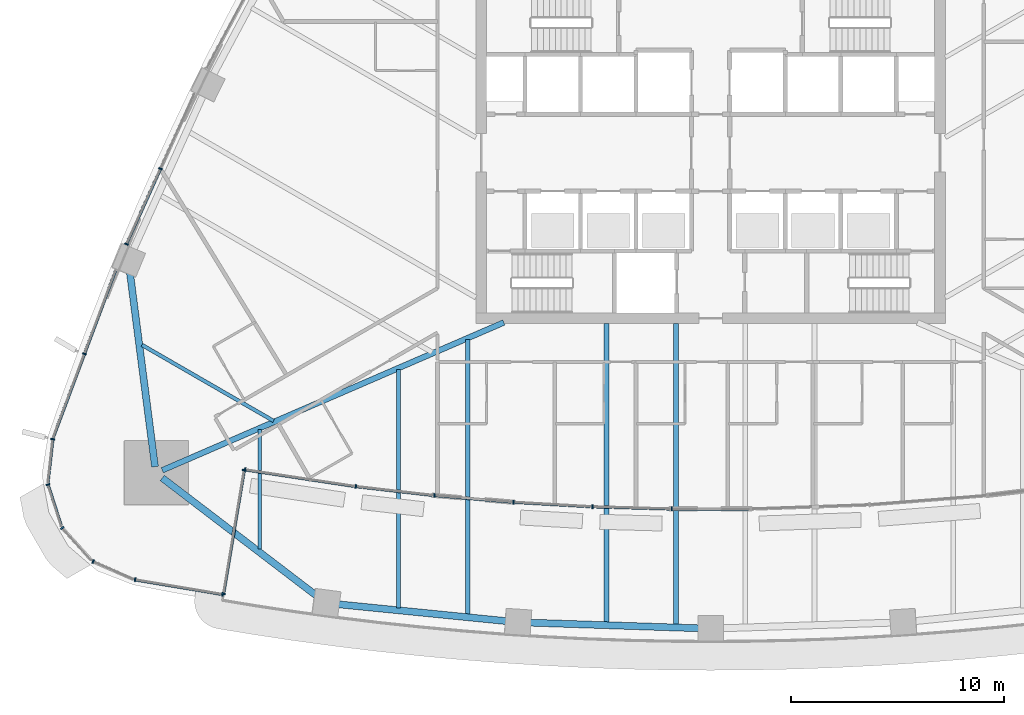
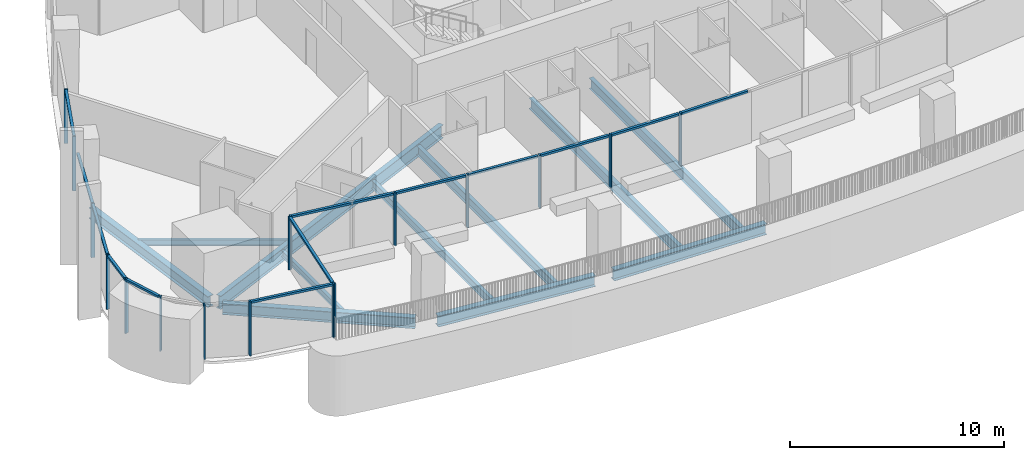
# One storey, part 2 of 25: 30 members, 11 beams, 14 elements without a shape of their own.
"""IFC4 building model written with IfcOpenShell, lengths in metres."""

import ifcopenshell
import ifcopenshell.guid

model = None  # the IFC model being written
_history = None  # IfcOwnerHistory: only IFC2X3 demands one
_inside = {}  # id of a spatial element -> (the spatial element, [elements in it])
_under = {}  # id of a project, library or spatial element -> (it, [spatial elements below it])
_declared = {}  # id of a project -> (the project, [libraries it declares])
_typed = {}  # id of a type object -> (the type object, [elements of that type])
_made_of = {}  # id of a material, layer set ... -> (it, [elements and type objects made of it])


def new_model(schema):
    """Start an empty IFC model of exactly this schema.

    Asked for "IFC4X3", IfcOpenShell would pick the latest addendum, in which some entities
    have other attributes; the version numbers below select the first issue.
    IFC2X3 requires an IfcOwnerHistory on every rooted entity: one is made here for all.
    """
    global model, _history
    if schema == "IFC4X3":
        model = ifcopenshell.file(schema_version=(4, 3, 0, 0))
    else:
        model = ifcopenshell.file(schema=schema)
    _inside.clear()
    _under.clear()
    _declared.clear()
    _typed.clear()
    _made_of.clear()
    _history = None
    if model.schema == "IFC2X3":
        org = make("IfcOrganization", Name="unknown")
        user = make(
            "IfcPersonAndOrganization",
            ThePerson=make("IfcPerson", FamilyName="unknown"),
            TheOrganization=org,
        )
        app = make(
            "IfcApplication",
            ApplicationDeveloper=org,
            Version="unknown",
            ApplicationFullName="unknown",
            ApplicationIdentifier="unknown",
        )
        _history = make(
            "IfcOwnerHistory",
            OwningUser=user,
            OwningApplication=app,
            ChangeAction="ADDED",
            CreationDate=0,
        )
    return model


def make(cls, **values):
    """One entity of the class cls with the attributes given. An attribute that is None is left unset."""
    return model.create_entity(
        cls, **{name: value for name, value in values.items() if value is not None}
    )


def rooted(cls, **values):
    """An entity with a GlobalId (a new one), such as an element, a storey or a relation."""
    return make(cls, GlobalId=ifcopenshell.guid.new(), OwnerHistory=_history, **values)


def si_unit(unit_type, name, prefix=None):
    """IfcSIUnit, for example si_unit("LENGTHUNIT", "METRE", prefix="MILLI")."""
    return make("IfcSIUnit", UnitType=unit_type, Prefix=prefix, Name=name)


def assignment(units):
    """IfcUnitAssignment: the units of a project."""
    return None if units is None else make("IfcUnitAssignment", Units=units)


def point(xyz):
    """IfcCartesianPoint."""
    return None if xyz is None else make("IfcCartesianPoint", Coordinates=xyz)


def direction(xyz):
    """IfcDirection."""
    return None if xyz is None else make("IfcDirection", DirectionRatios=xyz)


def frame(location, z_axis=None, x_axis=None):
    """IfcAxis2Placement3D, a coordinate frame: its origin and axes. An axis left out is left unset."""
    return make(
        "IfcAxis2Placement3D",
        Location=point(location),
        Axis=direction(z_axis),
        RefDirection=direction(x_axis),
    )


def frame_2d(location, x_axis=None):
    """IfcAxis2Placement2D, a coordinate frame in the plane: its origin and x axis."""
    return make(
        "IfcAxis2Placement2D", Location=point(location), RefDirection=direction(x_axis)
    )


def origin():
    """The frame at (0, 0, 0) with its axes left unset."""
    return frame((0.0, 0.0, 0.0))


def origin_2d():
    """The frame at (0, 0) in the plane with its x axis left unset."""
    return frame_2d((0.0, 0.0))


def place(relative_to, where):
    """IfcLocalPlacement: puts the frame where relative to a parent placement (None: the world)."""
    return make(
        "IfcLocalPlacement", PlacementRelTo=relative_to, RelativePlacement=where
    )


def context(
    kind, dimensions, precision=None, world=None, true_north=None, identifier=None
):
    """IfcGeometricRepresentationContext, for example the 3D "Model" context."""
    return make(
        "IfcGeometricRepresentationContext",
        ContextIdentifier=identifier,
        ContextType=kind,
        CoordinateSpaceDimension=dimensions,
        Precision=precision,
        WorldCoordinateSystem=world,
        TrueNorth=true_north,
    )


def subcontext(parent, identifier, kind, view, scale=None):
    """IfcGeometricRepresentationSubContext, for example "Body" below "Model"."""
    return make(
        "IfcGeometricRepresentationSubContext",
        ContextIdentifier=identifier,
        ContextType=kind,
        ParentContext=parent,
        TargetScale=scale,
        TargetView=view,
    )


def project(units=None, contexts=None):
    """IfcProject with its units and contexts."""
    return rooted(
        "IfcProject",
        Name="project",
        RepresentationContexts=contexts,
        UnitsInContext=assignment(units),
    )


def spatial(cls, under=None, at=None, **own):
    """A site, building, storey or space (cls), placed at a placement, below another one or the project."""
    s = rooted(cls, ObjectPlacement=at, **own)
    if under is not None:
        _under.setdefault(under.id(), (under, []))[1].append(s)
    return s


def profile(cls, at=None, kind="AREA", **sizes):
    """A parametric profile (cls). Its sizes go by their IFC names, for example OverallWidth=200.0."""
    return make(cls, ProfileType=kind, Position=at, **sizes)


def rectangle(**sizes):
    """IfcRectangleProfileDef."""
    return profile("IfcRectangleProfileDef", **sizes)


def i_section(**sizes):
    """IfcIShapeProfileDef."""
    return profile("IfcIShapeProfileDef", **sizes)


def extrude(swept, where, along, depth):
    """IfcExtrudedAreaSolid: the profile swept, set in the frame where, extruded along a direction by depth."""
    return make(
        "IfcExtrudedAreaSolid",
        SweptArea=swept,
        Position=where,
        ExtrudedDirection=direction(along),
        Depth=depth,
    )


def shape(context_of_items, identifier, shape_type, items):
    """IfcShapeRepresentation: the items that make up one representation, for example the "Body"."""
    return make(
        "IfcShapeRepresentation",
        ContextOfItems=context_of_items,
        RepresentationIdentifier=identifier,
        RepresentationType=shape_type,
        Items=items,
    )


def material(Name=None, Category=None):
    """IfcMaterial."""
    return make("IfcMaterial", Name=Name, Category=Category)


def layer(
    of_material, thickness, ventilated=None, Name=None, Category=None, Priority=None
):
    """IfcMaterialLayer: one layer of a wall or slab, of a material (None: an air gap)."""
    return make(
        "IfcMaterialLayer",
        Material=of_material,
        LayerThickness=thickness,
        IsVentilated=ventilated,
        Name=Name,
        Category=Category,
        Priority=Priority,
    )


def layer_set(layers, Name=None):
    """IfcMaterialLayerSet."""
    return make("IfcMaterialLayerSet", MaterialLayers=layers, LayerSetName=Name)


def material_profile(
    of_material, cross_section, Name=None, Category=None, Priority=None
):
    """IfcMaterialProfile: a cross section and its material."""
    return make(
        "IfcMaterialProfile",
        Name=Name,
        Material=of_material,
        Profile=cross_section,
        Priority=Priority,
        Category=Category,
    )


def profile_set(profiles, Name=None, composite=None):
    """IfcMaterialProfileSet."""
    return make(
        "IfcMaterialProfileSet",
        Name=Name,
        MaterialProfiles=profiles,
        CompositeProfile=composite,
    )


def made_of(thing, what):
    """Note that an element or type object is made of a material, layer set ...; save() writes the relation."""
    if what is not None:
        _made_of.setdefault(what.id(), (what, []))[1].append(thing)
    return thing


def type_object(cls, material=None, **own):
    """A type object (cls), such as IfcWallType, which elements share."""
    return made_of(rooted(cls, **own), material)


def element(
    cls,
    number,
    at=None,
    inside=None,
    cuts=None,
    type_object=None,
    material=None,
    context=None,
    identifier="Body",
    shape_type=None,
    held_by="IfcProductDefinitionShape",
    body=None,
    shapes=None,
    **own,
):
    """One element of the class cls, such as IfcWall. Its Tag is "e" and its number.

    at: its placement. inside: the storey or other place that contains it. cuts: it is an
    opening in that element (IfcRelVoidsElement). A single representation is given by context,
    identifier, shape_type and body (its items); several are given by shapes. held_by: the class
    of the entity that holds the representations. save() writes the other relations.
    """
    e = rooted(cls, Tag="e%d" % number, ObjectPlacement=at, **own)
    if body is not None:
        shapes = [shape(context, identifier, shape_type, body)]
    if shapes is not None:
        e.Representation = make(held_by, Representations=shapes)
    if inside is not None:
        _inside.setdefault(inside.id(), (inside, []))[1].append(e)
    if cuts is not None:
        rooted(
            "IfcRelVoidsElement", RelatingBuildingElement=cuts, RelatedOpeningElement=e
        )
    if type_object is not None:
        _typed.setdefault(type_object.id(), (type_object, []))[1].append(e)
    return made_of(e, material)


def aggregate(whole, parts):
    """IfcRelAggregates: a whole, such as a stair, and the parts it consists of."""
    return rooted("IfcRelAggregates", RelatingObject=whole, RelatedObjects=parts)


def save(model, path):
    """Write the relations noted so far, then the file.

    IfcRelAggregates (storeys below a building ...), IfcRelContainedInSpatialStructure (elements
    in a storey), IfcRelDefinesByType, IfcRelAssociatesMaterial and IfcRelDeclares: one each for
    every whole, place, type object, material and project.
    """
    for whole, parts in _under.values():
        aggregate(whole, parts)
    for where, things in _inside.values():
        rooted(
            "IfcRelContainedInSpatialStructure",
            RelatedElements=things,
            RelatingStructure=where,
        )
    for kind, things in _typed.values():
        rooted("IfcRelDefinesByType", RelatedObjects=things, RelatingType=kind)
    for what, things in _made_of.values():
        rooted("IfcRelAssociatesMaterial", RelatedObjects=things, RelatingMaterial=what)
    for by, libraries in _declared.values():
        rooted("IfcRelDeclares", RelatingContext=by, RelatedDefinitions=libraries)
    model.write(path)


model = new_model("IFC4")

# Units and contexts
model_context = context("Model", 3, precision=1e-05, world=origin(), true_north=direction((0.0, 1.0)))
body_context = subcontext(model_context, "Body", "Model", "MODEL_VIEW")
ifc_project = project(units=[si_unit("LENGTHUNIT", "METRE"), si_unit("AREAUNIT", "SQUARE_METRE"), si_unit("VOLUMEUNIT", "CUBIC_METRE"), si_unit("PLANEANGLEUNIT", "RADIAN"), si_unit("MASSUNIT", "GRAM", prefix="KILO")], contexts=[model_context])

# Site, building, storey
site_placement = place(None, origin())
site = spatial("IfcSite", under=ifc_project, at=site_placement, CompositionType="ELEMENT")
building_placement = place(site_placement, origin())
building = spatial("IfcBuilding", under=site, at=building_placement, Name="Sierra Prisma Convention Tower", CompositionType="ELEMENT")
storey_placement = place(building_placement, frame((0.0, 0.0, 88.699951171875)))
storey = spatial("IfcBuildingStorey", under=building, at=storey_placement, Name="L18", CompositionType="ELEMENT", Elevation=88.699951171875)

# Curtain wall, members
ifc_material_1 = material(Name="Aluminium and glass curtain wall", Category="aluminium")
ifc_layer_1 = layer(ifc_material_1, 0.179931640625)
ifc_layer_set_1 = layer_set([ifc_layer_1], Name="CW-1 Plain shaft curtain wall")
curtain_wall_type_1 = type_object("IfcCurtainWallType", Name="CW-1 Plain shaft curtain wall", PredefinedType="NOTDEFINED", material=ifc_layer_set_1)
curtain_wall_1_placement = place(storey_placement, origin())
curtain_wall_1 = element("IfcCurtainWall", 1, at=curtain_wall_1_placement, inside=storey, type_object=curtain_wall_type_1, Name="CW-1 NW5 L18", PredefinedType="NOTDEFINED")
ifc_material_2 = material(Name="Aluminium 6063-T6 bronze anodised", Category="aluminium")
ifc_material_profile_1 = material_profile(ifc_material_2, rectangle(XDim=0.179931640625, YDim=0.070068359375, at=origin_2d()), Name="ALU MULLION 70x180")
ifc_profile_set_1 = profile_set([ifc_material_profile_1], Name="Aluminium 6063-T6 bronze anodised")
member_type_1 = type_object("IfcMemberType", Name="CW mullion bronze", PredefinedType="MULLION", material=ifc_profile_set_1)
member_1_placement = place(storey_placement, frame((-25.78125, -0.75, 0.0), z_axis=(0.0, 0.0, 1.0), x_axis=(0.911462904039, -0.411382273027, 0.0)))
member_1 = element("IfcMember", 2, at=member_1_placement, type_object=member_type_1, Name="CW-1 mullion NW5.2", PredefinedType="MULLION", context=body_context, shape_type="SweptSolid", body=[
    extrude(rectangle(XDim=0.179931640625, YDim=0.070068359375, at=origin_2d()), origin(), (0.0, 0.0, 1.0), 3.10009765625),
])
member_2_placement = place(storey_placement, frame((-27.374267578125, -4.279541015625, 0.0), z_axis=(0.0, 0.0, 1.0), x_axis=(0.911462904039, -0.411382273027, 0.0)))
member_2 = element("IfcMember", 3, at=member_2_placement, type_object=member_type_1, Name="CW-1 mullion NW5.3", PredefinedType="MULLION", context=body_context, shape_type="SweptSolid", body=[
    extrude(rectangle(XDim=0.179931640625, YDim=0.070068359375, at=origin_2d()), origin(), (0.0, 0.0, 1.0), 3.10009765625),
])

# Curtain wall, member
curtain_wall_2_placement = place(storey_placement, origin())
curtain_wall_2 = element("IfcCurtainWall", 4, at=curtain_wall_2_placement, inside=storey, type_object=curtain_wall_type_1, Name="CW-1 NW6 L18", PredefinedType="NOTDEFINED")
member_3_placement = place(storey_placement, frame((-29.3447265625, -9.42431640625, 0.0), z_axis=(0.0, 0.0, 1.0), x_axis=(0.936756749124, -0.349981132307, 0.0)))
member_3 = element("IfcMember", 5, at=member_3_placement, type_object=member_type_1, Name="CW-1 mullion NW6.2", PredefinedType="MULLION", context=body_context, shape_type="SweptSolid", body=[
    extrude(rectangle(XDim=0.179931640625, YDim=0.070068359375, at=origin_2d()), origin(), (0.0, 0.0, 1.0), 3.10009765625),
])

curtain_wall_3_placement = place(storey_placement, origin())
curtain_wall_3 = element("IfcCurtainWall", 6, at=curtain_wall_3_placement, inside=storey, type_object=curtain_wall_type_1, Name="CW-1 SW1 L18", PredefinedType="NOTDEFINED")
member_4_placement = place(storey_placement, frame((-30.8291015625, -13.421630859375, 0.0), z_axis=(0.0, 0.0, 1.0), x_axis=(0.993694662055, -0.112120107932, 0.0)))
member_4 = element("IfcMember", 7, at=member_4_placement, type_object=member_type_1, Name="CW-1 mullion SW1.1", PredefinedType="MULLION", context=body_context, shape_type="SweptSolid", body=[
    extrude(rectangle(XDim=0.179931640625, YDim=0.070068359375, at=origin_2d()), origin(), (0.0, 0.0, 1.0), 3.10009765625),
])

curtain_wall_4_placement = place(storey_placement, origin())
curtain_wall_4 = element("IfcCurtainWall", 8, at=curtain_wall_4_placement, inside=storey, type_object=curtain_wall_type_1, Name="CW-1 SW2 L18", PredefinedType="NOTDEFINED")
member_5_placement = place(storey_placement, frame((-31.0546875, -15.5498046875, 0.0), z_axis=(0.0, 0.0, 1.0), x_axis=(0.951840047258, 0.306595049595, 0.0)))
member_5 = element("IfcMember", 9, at=member_5_placement, type_object=member_type_1, Name="CW-1 mullion SW2.1", PredefinedType="MULLION", context=body_context, shape_type="SweptSolid", body=[
    extrude(rectangle(XDim=0.179931640625, YDim=0.070068359375, at=origin_2d()), origin(), (0.0, 0.0, 1.0), 3.10009765625),
])

curtain_wall_5_placement = place(storey_placement, origin())
curtain_wall_5 = element("IfcCurtainWall", 10, at=curtain_wall_5_placement, inside=storey, type_object=curtain_wall_type_1, Name="CW-1 SW3 L18", PredefinedType="NOTDEFINED")
member_6_placement = place(storey_placement, frame((-30.384765625, -17.582275390625, 0.0), z_axis=(0.0, 0.0, 1.0), x_axis=(0.741439125253, 0.671020136467, 0.0)))
member_6 = element("IfcMember", 11, at=member_6_placement, type_object=member_type_1, Name="CW-1 mullion SW3.1", PredefinedType="MULLION", context=body_context, shape_type="SweptSolid", body=[
    extrude(rectangle(XDim=0.179931640625, YDim=0.070068359375, at=origin_2d()), origin(), (0.0, 0.0, 1.0), 3.10009765625),
])
aggregate(curtain_wall_5, [member_6])

curtain_wall_6_placement = place(storey_placement, origin())
curtain_wall_6 = element("IfcCurtainWall", 12, at=curtain_wall_6_placement, inside=storey, type_object=curtain_wall_type_1, Name="CW-1 SW4 L18", PredefinedType="NOTDEFINED")
member_7_placement = place(storey_placement, frame((-28.938232421875, -19.1591796875, 0.0), z_axis=(0.0, 0.0, 1.0), x_axis=(0.399748469284, 0.916624874911, 0.0)))
member_7 = element("IfcMember", 13, at=member_7_placement, type_object=member_type_1, Name="CW-1 mullion SW4.1", PredefinedType="MULLION", context=body_context, shape_type="SweptSolid", body=[
    extrude(rectangle(XDim=0.179931640625, YDim=0.070068359375, at=origin_2d()), origin(), (0.0, 0.0, 1.0), 3.10009765625),
])
aggregate(curtain_wall_6, [member_7])

# Curtain wall, members
curtain_wall_7_placement = place(storey_placement, origin())
curtain_wall_7 = element("IfcCurtainWall", 14, at=curtain_wall_7_placement, inside=storey, type_object=curtain_wall_type_1, Name="CW-1 S1 L18", PredefinedType="NOTDEFINED")
member_8_placement = place(storey_placement, frame((-26.971435546875, -20.0078125, 0.0), z_axis=(0.0, 0.0, 1.0), x_axis=(0.165285823139, 0.986245708061, 0.0)))
member_8 = element("IfcMember", 15, at=member_8_placement, type_object=member_type_1, Name="CW-1 mullion S1.1", PredefinedType="MULLION", context=body_context, shape_type="SweptSolid", body=[
    extrude(rectangle(XDim=0.179931640625, YDim=0.070068359375, at=origin_2d()), origin(), (0.0, 0.0, 1.0), 3.10009765625),
])
member_9_placement = place(storey_placement, frame((-22.868408203125, -20.6953125, 0.0), z_axis=(0.0, 0.0, 1.0), x_axis=(0.165285823139, 0.986245708061, 0.0)))
member_9 = element("IfcMember", 16, at=member_9_placement, type_object=member_type_1, Name="CW-1 mullion S1.2", PredefinedType="MULLION", context=body_context, shape_type="SweptSolid", body=[
    extrude(rectangle(XDim=0.179931640625, YDim=0.070068359375, at=origin_2d()), origin(), (0.0, 0.0, 1.0), 3.10009765625),
])

# Curtain wall, member
ifc_material_3 = material(Name="Aluminium and glass curtain wall", Category="aluminium")
ifc_layer_2 = layer(ifc_material_3, 0.179931640625)
ifc_layer_set_2 = layer_set([ifc_layer_2], Name="CW-6 Terrace recess curtain wall")
curtain_wall_type_2 = type_object("IfcCurtainWallType", Name="CW-6 Terrace recess curtain wall", PredefinedType="NOTDEFINED", material=ifc_layer_set_2)
curtain_wall_8_placement = place(storey_placement, origin())
curtain_wall_8 = element("IfcCurtainWall", 17, at=curtain_wall_8_placement, inside=storey, type_object=curtain_wall_type_2, Name="CW-6 R1 L18", PredefinedType="NOTDEFINED")
member_10_placement = place(storey_placement, frame((-21.818115234375, -14.8515625, 0.0), z_axis=(0.0, 0.0, 1.0), x_axis=(0.14978374684, 0.988718781647, 0.0)))
member_10 = element("IfcMember", 18, at=member_10_placement, type_object=member_type_1, Name="CW-6 mullion R1.1", PredefinedType="MULLION", context=body_context, shape_type="SweptSolid", body=[
    extrude(rectangle(XDim=0.179931640625, YDim=0.070068359375, at=origin_2d()), origin(), (0.0, 0.0, 1.0), 3.0400390625),
])

curtain_wall_9_placement = place(storey_placement, origin())
curtain_wall_9 = element("IfcCurtainWall", 19, at=curtain_wall_9_placement, inside=storey, type_object=curtain_wall_type_2, Name="CW-6 R2 L18", PredefinedType="NOTDEFINED")
member_11_placement = place(storey_placement, frame((-16.62744140625, -15.63671875, 0.0), z_axis=(0.0, 0.0, 1.0), x_axis=(0.11361549309, 0.99352479573, 0.0)))
member_11 = element("IfcMember", 20, at=member_11_placement, type_object=member_type_1, Name="CW-6 mullion R2.1", PredefinedType="MULLION", context=body_context, shape_type="SweptSolid", body=[
    extrude(rectangle(XDim=0.179931640625, YDim=0.070068359375, at=origin_2d()), origin(), (0.0, 0.0, 1.0), 3.0400390625),
])

curtain_wall_10_placement = place(storey_placement, origin())
curtain_wall_10 = element("IfcCurtainWall", 21, at=curtain_wall_10_placement, inside=storey, type_object=curtain_wall_type_2, Name="CW-6 R3 L18", PredefinedType="NOTDEFINED")
member_12_placement = place(storey_placement, frame((-12.9384765625, -16.057373046875, 0.0), z_axis=(0.0, 0.0, 1.0), x_axis=(0.08529226477, 0.996355975327, 0.0)))
member_12 = element("IfcMember", 22, at=member_12_placement, type_object=member_type_1, Name="CW-6 mullion R3.1", PredefinedType="MULLION", context=body_context, shape_type="SweptSolid", body=[
    extrude(rectangle(XDim=0.179931640625, YDim=0.070068359375, at=origin_2d()), origin(), (0.0, 0.0, 1.0), 3.0400390625),
])

curtain_wall_11_placement = place(storey_placement, origin())
curtain_wall_11 = element("IfcCurtainWall", 23, at=curtain_wall_11_placement, inside=storey, type_object=curtain_wall_type_2, Name="CW-6 R4 L18", PredefinedType="NOTDEFINED")
member_13_placement = place(storey_placement, frame((-9.2392578125, -16.373046875, 0.0), z_axis=(0.0, 0.0, 1.0), x_axis=(0.05689993088, 0.998379886549, 0.0)))
member_13 = element("IfcMember", 24, at=member_13_placement, type_object=member_type_1, Name="CW-6 mullion R4.1", PredefinedType="MULLION", context=body_context, shape_type="SweptSolid", body=[
    extrude(rectangle(XDim=0.179931640625, YDim=0.070068359375, at=origin_2d()), origin(), (0.0, 0.0, 1.0), 3.0400390625),
])

curtain_wall_12_placement = place(storey_placement, origin())
curtain_wall_12 = element("IfcCurtainWall", 25, at=curtain_wall_12_placement, inside=storey, type_object=curtain_wall_type_2, Name="CW-6 R5 L18", PredefinedType="NOTDEFINED")
member_14_placement = place(storey_placement, frame((-5.532470703125, -16.58349609375, 0.0), z_axis=(0.0, 0.0, 1.0), x_axis=(0.028461495497, 0.99959488958, 0.0)))
member_14 = element("IfcMember", 26, at=member_14_placement, type_object=member_type_1, Name="CW-6 mullion R5.1", PredefinedType="MULLION", context=body_context, shape_type="SweptSolid", body=[
    extrude(rectangle(XDim=0.179931640625, YDim=0.070068359375, at=origin_2d()), origin(), (0.0, 0.0, 1.0), 3.0400390625),
])

curtain_wall_13_placement = place(storey_placement, origin())
curtain_wall_13 = element("IfcCurtainWall", 27, at=curtain_wall_13_placement, inside=storey, type_object=curtain_wall_type_2, Name="CW-6 R6 L18", PredefinedType="NOTDEFINED")
member_15_placement = place(storey_placement, frame((-1.8212890625, -16.68798828125, 0.0), z_axis=(0.0, 0.0, 1.0), x_axis=(0.0, 1.0, 0.0)))
member_15 = element("IfcMember", 28, at=member_15_placement, type_object=member_type_1, Name="CW-6 mullion R6.1", PredefinedType="MULLION", context=body_context, shape_type="SweptSolid", body=[
    extrude(rectangle(XDim=0.179931640625, YDim=0.070068359375, at=origin_2d()), origin(), (0.0, 0.0, 1.0), 3.0400390625),
])

# Curtain wall, members
curtain_wall_14_placement = place(storey_placement, origin())
curtain_wall_14 = element("IfcCurtainWall", 29, at=curtain_wall_14_placement, inside=storey, type_object=curtain_wall_type_2, Name="CW-6 RT1 L18", PredefinedType="NOTDEFINED")
member_16_placement = place(storey_placement, frame((-22.828125, -20.66650390625, 0.0), z_axis=(0.0, 0.0, 1.0), x_axis=(-0.986245708061, 0.165285823139, 0.0)))
member_16 = element("IfcMember", 30, at=member_16_placement, type_object=member_type_1, Name="CW-6 mullion RT1.1", PredefinedType="MULLION", context=body_context, shape_type="SweptSolid", body=[
    extrude(rectangle(XDim=0.179931640625, YDim=0.070068359375, at=origin_2d()), origin(), (0.0, 0.0, 1.0), 3.0400390625),
])
member_17_placement = place(storey_placement, frame((-21.858642578125, -14.880859375, 0.0), z_axis=(0.0, 0.0, 1.0), x_axis=(-0.986245708061, 0.165285823139, 0.0)))
member_17 = element("IfcMember", 31, at=member_17_placement, type_object=member_type_1, Name="CW-6 mullion RT1.2", PredefinedType="MULLION", context=body_context, shape_type="SweptSolid", body=[
    extrude(rectangle(XDim=0.179931640625, YDim=0.070068359375, at=origin_2d()), origin(), (0.0, 0.0, 1.0), 3.0400390625),
])

# Member
ifc_material_4 = material(Name="Aluminium 6063-T6 bronze anodised", Category="aluminium")
ifc_material_profile_2 = material_profile(ifc_material_4, rectangle(XDim=0.139892578125, YDim=0.1201171875, at=origin_2d()), Name="ALU TRANSOM 120x140")
ifc_profile_set_2 = profile_set([ifc_material_profile_2], Name="Aluminium 6063-T6 bronze anodised")
member_type_2 = type_object("IfcMemberType", Name="CW transom bronze", PredefinedType="USERDEFINED", material=ifc_profile_set_2)
member_18_placement = place(storey_placement, frame((-25.795654296875, -0.781982421875, 3.0400390625), z_axis=(-0.411368232413, -0.911469241039, 0.0), x_axis=(0.911469241039, -0.411368232413, 0.0)))
member_18 = element("IfcMember", 32, at=member_18_placement, type_object=member_type_2, Name="CW-1 transom NW5.2", ObjectType="TRANSOM", PredefinedType="USERDEFINED", context=body_context, shape_type="SweptSolid", body=[
    extrude(rectangle(XDim=0.139892578125, YDim=0.1201171875, at=origin_2d()), origin(), (0.0, 0.0, 1.0), 3.802490234375),
])

aggregate(curtain_wall_1, [member_1, member_2, member_18])

member_19_placement = place(storey_placement, frame((-27.888671875, -5.52734375, 3.0400390625), z_axis=(-0.350007635367, -0.936746846904, 0.0), x_axis=(0.936746846904, -0.350007635367, 0.0)))
member_19 = element("IfcMember", 33, at=member_19_placement, type_object=member_type_2, Name="CW-1 transom NW6.1", ObjectType="TRANSOM", PredefinedType="USERDEFINED", context=body_context, shape_type="SweptSolid", body=[
    extrude(rectangle(XDim=0.139892578125, YDim=0.1201171875, at=origin_2d()), origin(), (0.0, 0.0, 1.0), 4.125244140625),
])

member_20_placement = place(storey_placement, frame((-29.35693359375, -9.45703125, 3.0400390625), z_axis=(-0.34995570108, -0.936766250076, 0.0), x_axis=(0.936766250076, -0.34995570108, 0.0)))
member_20 = element("IfcMember", 34, at=member_20_placement, type_object=member_type_2, Name="CW-1 transom NW6.2", ObjectType="TRANSOM", PredefinedType="USERDEFINED", context=body_context, shape_type="SweptSolid", body=[
    extrude(rectangle(XDim=0.139892578125, YDim=0.1201171875, at=origin_2d()), origin(), (0.0, 0.0, 1.0), 4.125),
])

aggregate(curtain_wall_2, [member_3, member_19, member_20])

member_21_placement = place(storey_placement, frame((-30.8330078125, -13.456298828125, 3.0400390625), z_axis=(-0.11213026308, -0.993693516182, 0.0), x_axis=(0.993693516182, -0.11213026308, 0.0)))
member_21 = element("IfcMember", 35, at=member_21_placement, type_object=member_type_2, Name="CW-1 transom SW1.1", ObjectType="TRANSOM", PredefinedType="USERDEFINED", context=body_context, shape_type="SweptSolid", body=[
    extrude(rectangle(XDim=0.139892578125, YDim=0.1201171875, at=origin_2d()), origin(), (0.0, 0.0, 1.0), 2.003173828125),
])

aggregate(curtain_wall_3, [member_4, member_21])

member_22_placement = place(storey_placement, frame((-31.0439453125, -15.5830078125, 3.0400390625), z_axis=(0.306522007961, -0.951863571441, 0.0), x_axis=(0.951863571441, 0.306522007961, 0.0)))
member_22 = element("IfcMember", 36, at=member_22_placement, type_object=member_type_2, Name="CW-1 transom SW2.1", ObjectType="TRANSOM", PredefinedType="USERDEFINED", context=body_context, shape_type="SweptSolid", body=[
    extrude(rectangle(XDim=0.139892578125, YDim=0.1201171875, at=origin_2d()), origin(), (0.0, 0.0, 1.0), 2.003173828125),
])

aggregate(curtain_wall_4, [member_5, member_22])

member_23_placement = place(storey_placement, frame((-26.936767578125, -20.013427734375, 3.0400390625), z_axis=(0.986245096381, -0.165289472938, 0.0), x_axis=(0.165289472938, 0.986245096381, 0.0)))
member_23 = element("IfcMember", 37, at=member_23_placement, type_object=member_type_2, Name="CW-1 transom S1.1", ObjectType="TRANSOM", PredefinedType="USERDEFINED", context=body_context, shape_type="SweptSolid", body=[
    extrude(rectangle(XDim=0.139892578125, YDim=0.1201171875, at=origin_2d()), origin(), (0.0, 0.0, 1.0), 4.08984375),
])

aggregate(curtain_wall_7, [member_8, member_9, member_23])

member_24_placement = place(storey_placement, frame((-21.78369140625, -14.856689453125, 2.97998046875), z_axis=(0.988719792489, -0.149777074146, 0.0), x_axis=(0.149777074146, 0.988719792489, 0.0)))
member_24 = element("IfcMember", 38, at=member_24_placement, type_object=member_type_2, Name="CW-6 transom R1.1", ObjectType="TRANSOM", PredefinedType="USERDEFINED", context=body_context, shape_type="SweptSolid", body=[
    extrude(rectangle(XDim=0.139892578125, YDim=0.1201171875, at=origin_2d()), origin(), (0.0, 0.0, 1.0), 5.110107421875),
])

aggregate(curtain_wall_8, [member_10, member_24])

member_25_placement = place(storey_placement, frame((-16.592529296875, -15.640625, 2.97998046875), z_axis=(0.993521875541, -0.113641026138, 0.0), x_axis=(0.113641026138, 0.993521875541, 0.0)))
member_25 = element("IfcMember", 39, at=member_25_placement, type_object=member_type_2, Name="CW-6 transom R2.1", ObjectType="TRANSOM", PredefinedType="USERDEFINED", context=body_context, shape_type="SweptSolid", body=[
    extrude(rectangle(XDim=0.139892578125, YDim=0.1201171875, at=origin_2d()), origin(), (0.0, 0.0, 1.0), 3.57275390625),
])

aggregate(curtain_wall_9, [member_11, member_25])

member_26_placement = place(storey_placement, frame((-12.90380859375, -16.060546875, 2.97998046875), z_axis=(0.996357107406, -0.085279039164, 0.0), x_axis=(0.085279039164, 0.996357107406, 0.0)))
member_26 = element("IfcMember", 40, at=member_26_placement, type_object=member_type_2, Name="CW-6 transom R3.1", ObjectType="TRANSOM", PredefinedType="USERDEFINED", context=body_context, shape_type="SweptSolid", body=[
    extrude(rectangle(XDim=0.139892578125, YDim=0.1201171875, at=origin_2d()), origin(), (0.0, 0.0, 1.0), 3.57275390625),
])

aggregate(curtain_wall_10, [member_12, member_26])

member_27_placement = place(storey_placement, frame((-9.204345703125, -16.375, 2.97998046875), z_axis=(0.998378554716, -0.056923294735, 0.0), x_axis=(0.056923294735, 0.998378554716, 0.0)))
member_27 = element("IfcMember", 41, at=member_27_placement, type_object=member_type_2, Name="CW-6 transom R4.1", ObjectType="TRANSOM", PredefinedType="USERDEFINED", context=body_context, shape_type="SweptSolid", body=[
    extrude(rectangle(XDim=0.139892578125, YDim=0.1201171875, at=origin_2d()), origin(), (0.0, 0.0, 1.0), 3.57275390625),
])

aggregate(curtain_wall_11, [member_13, member_27])

member_28_placement = place(storey_placement, frame((-5.49755859375, -16.58447265625, 2.97998046875), z_axis=(0.999595867822, -0.028427117925, 0.0), x_axis=(0.028427117925, 0.999595867822, 0.0)))
member_28 = element("IfcMember", 42, at=member_28_placement, type_object=member_type_2, Name="CW-6 transom R5.1", ObjectType="TRANSOM", PredefinedType="USERDEFINED", context=body_context, shape_type="SweptSolid", body=[
    extrude(rectangle(XDim=0.139892578125, YDim=0.1201171875, at=origin_2d()), origin(), (0.0, 0.0, 1.0), 3.57275390625),
])

aggregate(curtain_wall_12, [member_14, member_28])

member_29_placement = place(storey_placement, frame((-1.786376953125, -16.68798828125, 2.97998046875), z_axis=(1.0, 0.0, 0.0), x_axis=(0.0, 1.0, 0.0)))
member_29 = element("IfcMember", 43, at=member_29_placement, type_object=member_type_2, Name="CW-6 transom R6.1", ObjectType="TRANSOM", PredefinedType="USERDEFINED", context=body_context, shape_type="SweptSolid", body=[
    extrude(rectangle(XDim=0.139892578125, YDim=0.1201171875, at=origin_2d()), origin(), (0.0, 0.0, 1.0), 3.57275390625),
])

aggregate(curtain_wall_13, [member_15, member_29])

member_30_placement = place(storey_placement, frame((-22.822509765625, -20.632080078125, 2.97998046875), z_axis=(0.165314134749, 0.986240962875, 0.0), x_axis=(-0.986240962875, 0.165314134749, 0.0)))
member_30 = element("IfcMember", 44, at=member_30_placement, type_object=member_type_2, Name="CW-6 transom RT1.1", ObjectType="TRANSOM", PredefinedType="USERDEFINED", context=body_context, shape_type="SweptSolid", body=[
    extrude(rectangle(XDim=0.139892578125, YDim=0.1201171875, at=origin_2d()), origin(), (0.0, 0.0, 1.0), 5.796630859375),
])

aggregate(curtain_wall_14, [member_16, member_17, member_30])

# Beams
ifc_material_5 = material(Name="Steel ASTM A992 Gr 50", Category="steel")
ifc_material_profile_3 = material_profile(ifc_material_5, i_section(OverallWidth=0.172119140625, OverallDepth=0.35791015625, WebThickness=0.0078125, FlangeThickness=0.01318359375, at=origin_2d()), Name="W360x57")
ifc_profile_set_3 = profile_set([ifc_material_profile_3], Name="Steel ASTM A992 Gr 50")
beam_type_1 = type_object("IfcBeamType", Name="Floor joist W360x57", PredefinedType="JOIST", material=ifc_profile_set_3)
beam_1_placement = place(storey_placement, frame((-21.123291015625, -18.5771484375, -0.47900390625), z_axis=(0.0, 1.0, 0.0), x_axis=(-1.0, 0.0, 0.0)))
element("IfcBeam", 45, at=beam_1_placement, inside=storey, type_object=beam_type_1, Name="Floor joist L18 S02", PredefinedType="JOIST", context=body_context, shape_type="SweptSolid", body=[
    extrude(i_section(OverallWidth=0.172119140625, OverallDepth=0.35791015625, WebThickness=0.0078125, FlangeThickness=0.01318359375, at=origin_2d()), origin(), (0.0, 0.0, 1.0), 5.619140625),
])
beam_2_placement = place(storey_placement, frame((-26.64990234375, -9.004638671875, -0.328857421875), z_axis=(0.866017166987, -0.50001426628, 0.0), x_axis=(0.50001426628, 0.866017166987, 0.0)))
element("IfcBeam", 46, at=beam_2_placement, inside=storey, type_object=beam_type_1, Name="Floor joist L18 NW15", PredefinedType="JOIST", context=body_context, shape_type="SweptSolid", body=[
    extrude(i_section(OverallWidth=0.172119140625, OverallDepth=0.35791015625, WebThickness=0.0078125, FlangeThickness=0.01318359375, at=origin_2d()), origin(), (0.0, 0.0, 1.0), 7.121337890625),
])
ifc_material_6 = material(Name="Steel ASTM A992 Gr 50", Category="steel")
ifc_material_profile_4 = material_profile(ifc_material_6, i_section(OverallWidth=0.18994140625, OverallDepth=0.45703125, WebThickness=0.009033203125, FlangeThickness=0.014404296875, at=origin_2d()), Name="W460x74")
ifc_profile_set_4 = profile_set([ifc_material_profile_4], Name="Steel ASTM A992 Gr 50")
beam_type_2 = type_object("IfcBeamType", Name="Floor joist W460x74", PredefinedType="JOIST", material=ifc_profile_set_4)
beam_3_placement = place(storey_placement, frame((-14.623779296875, -21.328857421875, -0.528564453125), z_axis=(0.0, 1.0, 0.0), x_axis=(-1.0, 0.0, 0.0)))
element("IfcBeam", 47, at=beam_3_placement, inside=storey, type_object=beam_type_2, Name="Floor joist L18 S04", PredefinedType="JOIST", context=body_context, shape_type="SweptSolid", body=[
    extrude(i_section(OverallWidth=0.18994140625, OverallDepth=0.45703125, WebThickness=0.009033203125, FlangeThickness=0.014404296875, at=origin_2d()), origin(), (0.0, 0.0, 1.0), 11.18359375),
])
ifc_material_7 = material(Name="Steel ASTM A992 Gr 50", Category="steel")
ifc_material_profile_5 = material_profile(ifc_material_7, i_section(OverallWidth=0.208984375, OverallDepth=0.532958984375, WebThickness=0.01025390625, FlangeThickness=0.015625, at=origin_2d()), Name="W530x92")
ifc_profile_set_5 = profile_set([ifc_material_profile_5], Name="Steel ASTM A992 Gr 50")
beam_type_3 = type_object("IfcBeamType", Name="Floor joist W530x92", PredefinedType="JOIST", material=ifc_profile_set_5)
beam_4_placement = place(storey_placement, frame((-11.3740234375, -21.65380859375, -0.56640625), z_axis=(0.0, 1.0, 0.0), x_axis=(-1.0, 0.0, 0.0)))
element("IfcBeam", 48, at=beam_4_placement, inside=storey, type_object=beam_type_3, Name="Floor joist L18 S05", PredefinedType="JOIST", context=body_context, shape_type="SweptSolid", body=[
    extrude(i_section(OverallWidth=0.208984375, OverallDepth=0.532958984375, WebThickness=0.01025390625, FlangeThickness=0.015625, at=origin_2d()), origin(), (0.0, 0.0, 1.0), 12.914794921875),
])
ifc_material_8 = material(Name="Steel ASTM A992 Gr 50", Category="steel")
ifc_material_profile_6 = material_profile(ifc_material_8, i_section(OverallWidth=0.22802734375, OverallDepth=0.60302734375, WebThickness=0.010498046875, FlangeThickness=0.014892578125, at=origin_2d()), Name="W610x101")
ifc_profile_set_6 = profile_set([ifc_material_profile_6], Name="Steel ASTM A992 Gr 50")
beam_type_4 = type_object("IfcBeamType", Name="Floor joist W610x101", PredefinedType="JOIST", material=ifc_profile_set_6)
beam_5_placement = place(storey_placement, frame((-4.87451171875, -22.02685546875, -0.6015625), z_axis=(0.0, 1.0, 0.0), x_axis=(-1.0, 0.0, 0.0)))
element("IfcBeam", 49, at=beam_5_placement, inside=storey, type_object=beam_type_4, Name="Floor joist L18 S07", PredefinedType="JOIST", context=body_context, shape_type="SweptSolid", body=[
    extrude(i_section(OverallWidth=0.22802734375, OverallDepth=0.60302734375, WebThickness=0.010498046875, FlangeThickness=0.014892578125, at=origin_2d()), origin(), (0.0, 0.0, 1.0), 14.02685546875),
])
beam_6_placement = place(storey_placement, frame((-1.624755859375, -22.134765625, -0.6015625), z_axis=(0.0, 1.0, 0.0), x_axis=(-1.0, 0.0, 0.0)))
element("IfcBeam", 50, at=beam_6_placement, inside=storey, type_object=beam_type_4, Name="Floor joist L18 S08", PredefinedType="JOIST", context=body_context, shape_type="SweptSolid", body=[
    extrude(i_section(OverallWidth=0.22802734375, OverallDepth=0.60302734375, WebThickness=0.010498046875, FlangeThickness=0.014892578125, at=origin_2d()), origin(), (0.0, 0.0, 1.0), 14.134765625),
])
ifc_material_9 = material(Name="Steel ASTM A992 Gr 50", Category="steel")
ifc_material_profile_7 = material_profile(ifc_material_9, i_section(OverallWidth=0.264892578125, OverallDepth=0.7529296875, WebThickness=0.01318359375, FlangeThickness=0.01708984375, at=origin_2d()), Name="W760x147")
ifc_profile_set_7 = profile_set([ifc_material_profile_7], Name="Steel ASTM A992 Gr 50")
beam_type_5 = type_object("IfcBeamType", Name="Radial girder W760x147", PredefinedType="BEAM", material=ifc_profile_set_7)
beam_7_placement = place(storey_placement, frame((-25.69775390625, -14.880126953125, -0.5263671875), z_axis=(0.917743438969, 0.397173740608, 0.0), x_axis=(-0.397173740608, 0.917743438969, 0.0)))
element("IfcBeam", 51, at=beam_7_placement, inside=storey, type_object=beam_type_5, Name="Radial girder L18 SW", PredefinedType="BEAM", context=body_context, shape_type="SweptSolid", body=[
    extrude(i_section(OverallWidth=0.264892578125, OverallDepth=0.7529296875, WebThickness=0.01318359375, FlangeThickness=0.01708984375, at=origin_2d()), origin(), (0.0, 0.0, 1.0), 17.442626953125),
])
ifc_material_10 = material(Name="Steel ASTM A992 Gr 50", Category="steel")
ifc_material_profile_8 = material_profile(ifc_material_10, i_section(OverallWidth=0.324951171875, OverallDepth=0.615966796875, WebThickness=0.013916015625, FlangeThickness=0.021484375, at=origin_2d()), Name="W610x174")
ifc_profile_set_8 = profile_set([ifc_material_profile_8], Name="Steel ASTM A992 Gr 50")
beam_type_6 = type_object("IfcBeamType", Name="Spandrel beam W610x174", PredefinedType="BEAM", material=ifc_profile_set_8)
beam_8_placement = place(storey_placement, frame((-25.69775390625, -15.239013671875, -0.60791015625), z_axis=(0.794817973195, -0.606847912978, 0.0), x_axis=(0.606847912978, 0.794817973195, 0.0)))
element("IfcBeam", 52, at=beam_8_placement, inside=storey, type_object=beam_type_6, Name="Spandrel L18-01", PredefinedType="BEAM", context=body_context, shape_type="SweptSolid", body=[
    extrude(i_section(OverallWidth=0.324951171875, OverallDepth=0.615966796875, WebThickness=0.013916015625, FlangeThickness=0.021484375, at=origin_2d()), origin(), (0.0, 0.0, 1.0), 9.091796875),
])
for number, where, z_axis, x_axis, name in (
    (53, (-17.53955078125, -21.15087890625, -0.60791015625), (0.99504407456, -0.099434851447, 0.0), (0.099434851447, 0.99504407456, 0.0), "Spandrel L18-02"),
    (54, (-8.548583984375, -22.017333984375, -0.60791015625), (0.999448559459, -0.033205074837, 0.0), (0.033205074837, 0.999448559459, 0.0), "Spandrel L18-03"),
):
    element("IfcBeam", number, at=place(storey_placement, frame(where, z_axis=z_axis, x_axis=x_axis)), inside=storey, type_object=beam_type_6, Name=name, PredefinedType="BEAM", context=body_context, shape_type="SweptSolid", body=[
        extrude(i_section(OverallWidth=0.324951171875, OverallDepth=0.615966796875, WebThickness=0.013916015625, FlangeThickness=0.021484375, at=origin_2d()), origin(), (0.0, 0.0, 1.0), 8.072998046875),
    ])
beam_9_placement = place(storey_placement, frame((-27.211181640625, -5.618408203125, -0.4580078125), z_axis=(0.128127667514, -0.99175768251, 0.0), x_axis=(0.99175768251, 0.128127667514, 0.0)))
element("IfcBeam", 55, at=beam_9_placement, inside=storey, type_object=beam_type_6, Name="Spandrel L18-18", PredefinedType="BEAM", context=body_context, shape_type="SweptSolid", body=[
    extrude(i_section(OverallWidth=0.324951171875, OverallDepth=0.615966796875, WebThickness=0.013916015625, FlangeThickness=0.021484375, at=origin_2d()), origin(), (0.0, 0.0, 1.0), 9.1669921875),
])

save(model, "model.ifc")
